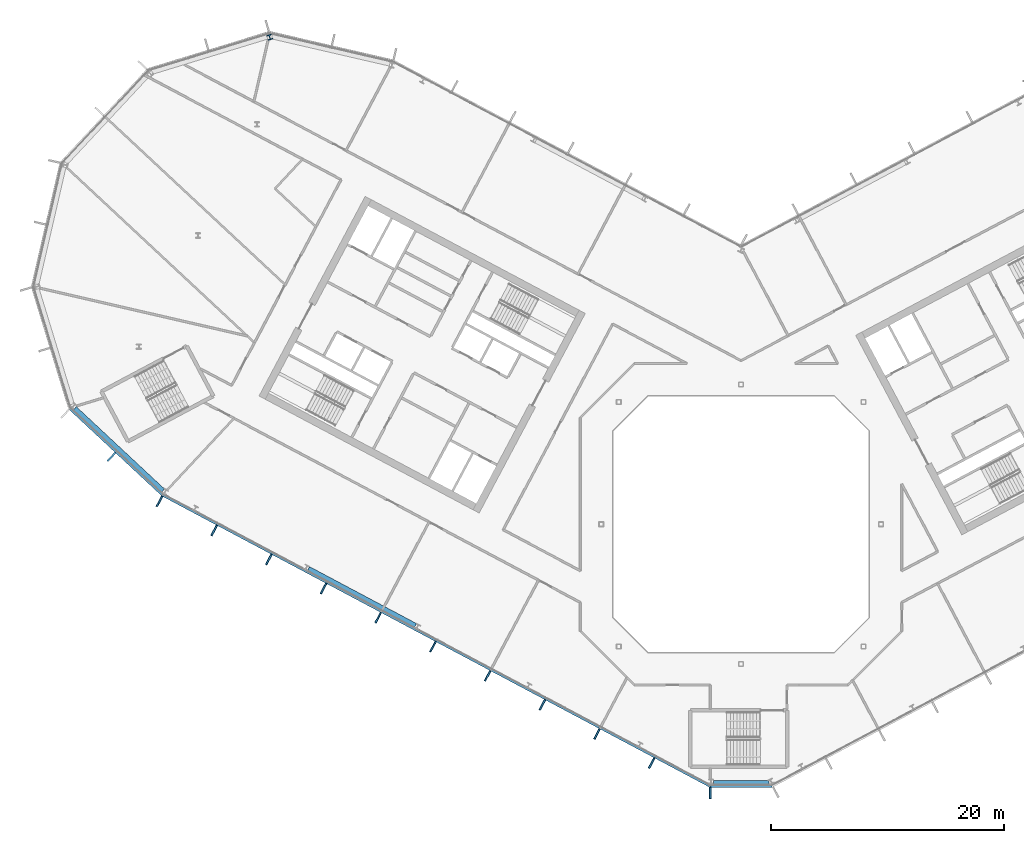
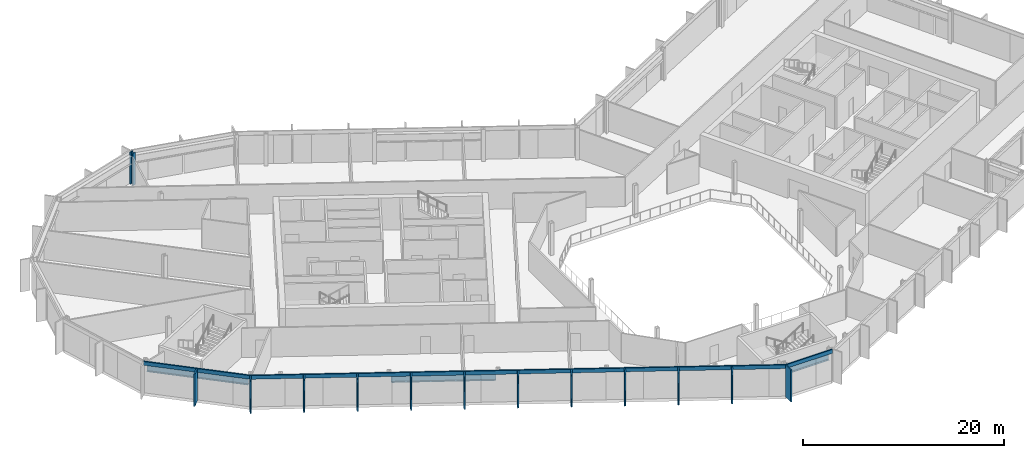
# One storey, part 8 of 27: 15 members, 3 beams, 1 column, 3 elements without a shape of their own.
"""IFC4 building model written with IfcOpenShell, lengths in metres."""

from ifc_helpers import new_model, si_unit, direction, frame, origin, origin_2d, place, context, subcontext, project, spatial, rectangle, i_section, extrude, material, layer, layer_set, material_profile, profile_set, type_object, element, aggregate, save


model = new_model("IFC4")

# Units and contexts
model_context = context("Model", 3, precision=1e-05, world=origin(), true_north=direction((0.0, 1.0)))
body_context = subcontext(model_context, "Body", "Model", "MODEL_VIEW")
ifc_project = project(units=[si_unit("LENGTHUNIT", "METRE"), si_unit("AREAUNIT", "SQUARE_METRE"), si_unit("VOLUMEUNIT", "CUBIC_METRE"), si_unit("PLANEANGLEUNIT", "RADIAN"), si_unit("MASSUNIT", "GRAM", prefix="KILO")], contexts=[model_context])

# Site, building, storey
site_placement = place(None, origin())
site = spatial("IfcSite", under=ifc_project, at=site_placement, CompositionType="ELEMENT")
building_placement = place(site_placement, origin())
building = spatial("IfcBuilding", under=site, at=building_placement, Name="Cormorant Relay Tower", CompositionType="ELEMENT")
storey_placement = place(building_placement, frame((0.0, 0.0, 209.10009765625)))
storey = spatial("IfcBuildingStorey", under=building, at=storey_placement, Name="L45", CompositionType="ELEMENT", Elevation=209.10009765625)

# Column
ifc_material_1 = material(Name="Steel ASTM A992 (Fy 345 MPa)", Category="steel")
ifc_material_profile_1 = material_profile(ifc_material_1, i_section(OverallWidth=0.41162109375, OverallDepth=0.434326171875, WebThickness=0.035888671875, FlangeThickness=0.057373046875, FilletRadius=0.01513671875, at=origin_2d()), Name="W360x463")
ifc_profile_set_1 = profile_set([ifc_material_profile_1], Name="Steel ASTM A992 (Fy 345 MPa)")
column_type = type_object("IfcColumnType", Name="Column W360x463", PredefinedType="COLUMN", material=ifc_profile_set_1)
column_placement = place(storey_placement, frame((-40.455078125, 41.803955078125, 0.0), z_axis=(0.0, 0.0, 1.0), x_axis=(-0.956304755963, -0.292371704723, 0.0)))
element("IfcColumn", 1, at=column_placement, inside=storey, type_object=column_type, Name="Column L45-045", PredefinedType="COLUMN", context=body_context, shape_type="SweptSolid", body=[
    extrude(i_section(OverallWidth=0.41162109375, OverallDepth=0.434326171875, WebThickness=0.035888671875, FlangeThickness=0.057373046875, FilletRadius=0.01513671875, at=origin_2d()), origin(), (0.0, 0.0, 1.0), 3.89990234375),
])

# Curtain wall, member
ifc_material_2 = material(Name="Aluminium 6063-T6 anodised bronze", Category="aluminium")
ifc_layer = layer(ifc_material_2, 0.199951171875)
ifc_layer_set = layer_set([ifc_layer], Name="CW1 unitised bronze curtain wall with vertical fins")
curtain_wall_type = type_object("IfcCurtainWallType", Name="CW1 unitised bronze curtain wall with vertical fins", PredefinedType="NOTDEFINED", material=ifc_layer_set)
curtain_wall_1_placement = place(storey_placement, origin())
curtain_wall_1 = element("IfcCurtainWall", 2, at=curtain_wall_1_placement, inside=storey, type_object=curtain_wall_type, Name="CW1 curtain wall 1", PredefinedType="NOTDEFINED")
ifc_material_3 = material(Name="Aluminium 6063-T6 anodised bronze", Category="aluminium")
ifc_material_profile_2 = material_profile(ifc_material_3, rectangle(XDim=0.14990234375, YDim=1.0, at=origin_2d()), Name="AL 150x1000")
ifc_profile_set_2 = profile_set([ifc_material_profile_2], Name="Aluminium 6063-T6 anodised bronze")
member_type_1 = type_object("IfcMemberType", Name="CW1 bronze fin mullion 150 x 1000", PredefinedType="MULLION", material=ifc_profile_set_2)
member_1_placement = place(storey_placement, frame((-2.648681640625, -23.07568359375, 0.0), z_axis=(0.0, 0.0, 1.0), x_axis=(1.0, 0.0, 0.0)))
member_1 = element("IfcMember", 3, at=member_1_placement, type_object=member_type_1, Name="CW1 fin 1.1", PredefinedType="MULLION", context=body_context, shape_type="SweptSolid", body=[
    extrude(rectangle(XDim=0.14990234375, YDim=1.0, at=origin_2d()), origin(), (0.0, 0.0, 1.0), 3.89990234375),
])

curtain_wall_2_placement = place(storey_placement, origin())
curtain_wall_2 = element("IfcCurtainWall", 4, at=curtain_wall_2_placement, inside=storey, type_object=curtain_wall_type, Name="CW1 curtain wall 15", PredefinedType="NOTDEFINED")
member_2_placement = place(storey_placement, frame((-54.0439453125, 5.779296875, 0.0), z_axis=(0.0, 0.0, 1.0), x_axis=(0.731353701619, -0.681998360062, 0.0)))
member_2 = element("IfcMember", 5, at=member_2_placement, type_object=member_type_1, Name="CW1 fin 15.2", PredefinedType="MULLION", context=body_context, shape_type="SweptSolid", body=[
    extrude(rectangle(XDim=0.14990234375, YDim=1.0, at=origin_2d()), origin(), (0.0, 0.0, 1.0), 3.89990234375),
])

# Curtain wall, members
curtain_wall_3_placement = place(storey_placement, origin())
curtain_wall_3 = element("IfcCurtainWall", 6, at=curtain_wall_3_placement, inside=storey, type_object=curtain_wall_type, Name="CW1 curtain wall 16", PredefinedType="NOTDEFINED")
member_3_placement = place(storey_placement, frame((-49.920166015625, 1.96630859375, 0.0), z_axis=(0.0, 0.0, 1.0), x_axis=(0.882947592859, -0.469471562786, 0.0)))
member_3 = element("IfcMember", 7, at=member_3_placement, type_object=member_type_1, Name="CW1 fin 16.1", PredefinedType="MULLION", context=body_context, shape_type="SweptSolid", body=[
    extrude(rectangle(XDim=0.14990234375, YDim=1.0, at=origin_2d()), origin(), (0.0, 0.0, 1.0), 3.89990234375),
])
member_4_placement = place(storey_placement, frame((-45.225830078125, -0.52978515625, 0.0), z_axis=(0.0, 0.0, 1.0), x_axis=(0.882947592859, -0.469471562786, 0.0)))
member_4 = element("IfcMember", 8, at=member_4_placement, type_object=member_type_1, Name="CW1 fin 16.2", PredefinedType="MULLION", context=body_context, shape_type="SweptSolid", body=[
    extrude(rectangle(XDim=0.14990234375, YDim=1.0, at=origin_2d()), origin(), (0.0, 0.0, 1.0), 3.89990234375),
])
member_5_placement = place(storey_placement, frame((-40.531494140625, -3.025634765625, 0.0), z_axis=(0.0, 0.0, 1.0), x_axis=(0.882947592859, -0.469471562786, 0.0)))
member_5 = element("IfcMember", 9, at=member_5_placement, type_object=member_type_1, Name="CW1 fin 16.3", PredefinedType="MULLION", context=body_context, shape_type="SweptSolid", body=[
    extrude(rectangle(XDim=0.14990234375, YDim=1.0, at=origin_2d()), origin(), (0.0, 0.0, 1.0), 3.89990234375),
])
member_6_placement = place(storey_placement, frame((-35.83740234375, -5.521728515625, 0.0), z_axis=(0.0, 0.0, 1.0), x_axis=(0.882947592859, -0.469471562786, 0.0)))
member_6 = element("IfcMember", 10, at=member_6_placement, type_object=member_type_1, Name="CW1 fin 16.4", PredefinedType="MULLION", context=body_context, shape_type="SweptSolid", body=[
    extrude(rectangle(XDim=0.14990234375, YDim=1.0, at=origin_2d()), origin(), (0.0, 0.0, 1.0), 3.89990234375),
])
member_7_placement = place(storey_placement, frame((-31.14306640625, -8.017578125, 0.0), z_axis=(0.0, 0.0, 1.0), x_axis=(0.882947592859, -0.469471562786, 0.0)))
member_7 = element("IfcMember", 11, at=member_7_placement, type_object=member_type_1, Name="CW1 fin 16.5", PredefinedType="MULLION", context=body_context, shape_type="SweptSolid", body=[
    extrude(rectangle(XDim=0.14990234375, YDim=1.0, at=origin_2d()), origin(), (0.0, 0.0, 1.0), 3.89990234375),
])
member_8_placement = place(storey_placement, frame((-26.44873046875, -10.513671875, 0.0), z_axis=(0.0, 0.0, 1.0), x_axis=(0.882947592859, -0.469471562786, 0.0)))
member_8 = element("IfcMember", 12, at=member_8_placement, type_object=member_type_1, Name="CW1 fin 16.6", PredefinedType="MULLION", context=body_context, shape_type="SweptSolid", body=[
    extrude(rectangle(XDim=0.14990234375, YDim=1.0, at=origin_2d()), origin(), (0.0, 0.0, 1.0), 3.89990234375),
])
member_9_placement = place(storey_placement, frame((-21.754638671875, -13.009765625, 0.0), z_axis=(0.0, 0.0, 1.0), x_axis=(0.882947592859, -0.469471562786, 0.0)))
member_9 = element("IfcMember", 13, at=member_9_placement, type_object=member_type_1, Name="CW1 fin 16.7", PredefinedType="MULLION", context=body_context, shape_type="SweptSolid", body=[
    extrude(rectangle(XDim=0.14990234375, YDim=1.0, at=origin_2d()), origin(), (0.0, 0.0, 1.0), 3.89990234375),
])
member_10_placement = place(storey_placement, frame((-17.060302734375, -15.505615234375, 0.0), z_axis=(0.0, 0.0, 1.0), x_axis=(0.882947592859, -0.469471562786, 0.0)))
member_10 = element("IfcMember", 14, at=member_10_placement, type_object=member_type_1, Name="CW1 fin 16.8", PredefinedType="MULLION", context=body_context, shape_type="SweptSolid", body=[
    extrude(rectangle(XDim=0.14990234375, YDim=1.0, at=origin_2d()), origin(), (0.0, 0.0, 1.0), 3.89990234375),
])
member_11_placement = place(storey_placement, frame((-12.365966796875, -18.001708984375, 0.0), z_axis=(0.0, 0.0, 1.0), x_axis=(0.882947592859, -0.469471562786, 0.0)))
member_11 = element("IfcMember", 15, at=member_11_placement, type_object=member_type_1, Name="CW1 fin 16.9", PredefinedType="MULLION", context=body_context, shape_type="SweptSolid", body=[
    extrude(rectangle(XDim=0.14990234375, YDim=1.0, at=origin_2d()), origin(), (0.0, 0.0, 1.0), 3.89990234375),
])
member_12_placement = place(storey_placement, frame((-7.671630859375, -20.49755859375, 0.0), z_axis=(0.0, 0.0, 1.0), x_axis=(0.882947592859, -0.469471562786, 0.0)))
member_12 = element("IfcMember", 16, at=member_12_placement, type_object=member_type_1, Name="CW1 fin 16.10", PredefinedType="MULLION", context=body_context, shape_type="SweptSolid", body=[
    extrude(rectangle(XDim=0.14990234375, YDim=1.0, at=origin_2d()), origin(), (0.0, 0.0, 1.0), 3.89990234375),
])

# Member
ifc_material_4 = material(Name="Aluminium 6063-T6 anodised bronze", Category="aluminium")
ifc_material_profile_3 = material_profile(ifc_material_4, rectangle(XDim=0.159912109375, YDim=0.449951171875, at=origin_2d()), Name="AL 160x450")
ifc_profile_set_3 = profile_set([ifc_material_profile_3], Name="Aluminium 6063-T6 anodised bronze")
member_type_2 = type_object("IfcMemberType", Name="CW1 bronze transom 160 x 450", PredefinedType="USERDEFINED", material=ifc_profile_set_3)
member_13_placement = place(storey_placement, frame((-2.648681640625, -22.49560546875, 3.6748046875), z_axis=(1.0, 0.0, 0.0), x_axis=(0.0, 1.0, 0.0)))
member_13 = element("IfcMember", 17, at=member_13_placement, type_object=member_type_2, Name="CW1 transom 1", ObjectType="TRANSOM", PredefinedType="USERDEFINED", context=body_context, shape_type="SweptSolid", body=[
    extrude(rectangle(XDim=0.159912109375, YDim=0.449951171875, at=origin_2d()), origin(), (0.0, 0.0, 1.0), 5.29736328125),
])

aggregate(curtain_wall_1, [member_1, member_13])

member_14_placement = place(storey_placement, frame((-57.62353515625, 9.91015625, 3.6748046875), z_axis=(0.731358420696, -0.681993299437, 0.0), x_axis=(0.681993299437, 0.731358420696, 0.0)))
member_14 = element("IfcMember", 18, at=member_14_placement, type_object=member_type_2, Name="CW1 transom 15", ObjectType="TRANSOM", PredefinedType="USERDEFINED", context=body_context, shape_type="SweptSolid", body=[
    extrude(rectangle(XDim=0.159912109375, YDim=0.449951171875, at=origin_2d()), origin(), (0.0, 0.0, 1.0), 10.870361328125),
])

aggregate(curtain_wall_2, [member_2, member_14])

member_15_placement = place(storey_placement, frame((-49.64794921875, 2.478515625, 3.6748046875), z_axis=(0.882947642542, -0.469471469346, 0.0), x_axis=(0.469471469346, 0.882947642542, 0.0)))
member_15 = element("IfcMember", 19, at=member_15_placement, type_object=member_type_2, Name="CW1 transom 16", ObjectType="TRANSOM", PredefinedType="USERDEFINED", context=body_context, shape_type="SweptSolid", body=[
    extrude(rectangle(XDim=0.159912109375, YDim=0.449951171875, at=origin_2d()), origin(), (0.0, 0.0, 1.0), 53.166015625),
])

aggregate(curtain_wall_3, [member_3, member_4, member_5, member_6, member_7, member_8, member_9, member_10, member_11, member_12, member_15])

# Beams
ifc_material_5 = material(Name="Steel ASTM A992 (Fy 345 MPa)", Category="steel")
ifc_material_profile_4 = material_profile(ifc_material_5, i_section(OverallWidth=0.4013671875, OverallDepth=0.990478515625, WebThickness=0.0166015625, FlangeThickness=0.031005859375, FilletRadius=0.030029296875, at=origin_2d()), Name="W1000x320")
ifc_profile_set_4 = profile_set([ifc_material_profile_4], Name="Steel ASTM A992 (Fy 345 MPa)")
beam_type = type_object("IfcBeamType", Name="Spandrel W1000x320", PredefinedType="SPANDREL", material=ifc_profile_set_4)
beam_1_placement = place(storey_placement, frame((-2.3701171875, -22.1748046875, 3.044677734375), z_axis=(1.0, 0.0, 0.0), x_axis=(0.0, 1.0, 0.0)))
element("IfcBeam", 20, at=beam_1_placement, inside=storey, type_object=beam_type, Name="Spandrel beam L45-001", PredefinedType="SPANDREL", context=body_context, shape_type="SweptSolid", body=[
    extrude(i_section(OverallWidth=0.4013671875, OverallDepth=0.990478515625, WebThickness=0.0166015625, FlangeThickness=0.031005859375, FilletRadius=0.030029296875, at=origin_2d()), origin(), (0.0, 0.0, 1.0), 4.761474609375),
])
beam_2_placement = place(storey_placement, frame((-57.19580078125, 9.94970703125, 3.044677734375), z_axis=(0.731351589689, -0.682000624824, 0.0), x_axis=(0.682000624824, 0.731351589689, 0.0)))
element("IfcBeam", 21, at=beam_2_placement, inside=storey, type_object=beam_type, Name="Spandrel beam L45-015", PredefinedType="SPANDREL", context=body_context, shape_type="SweptSolid", body=[
    extrude(i_section(OverallWidth=0.4013671875, OverallDepth=0.990478515625, WebThickness=0.0166015625, FlangeThickness=0.031005859375, FilletRadius=0.030029296875, at=origin_2d()), origin(), (0.0, 0.0, 1.0), 10.354248046875),
])
beam_3_placement = place(storey_placement, frame((-37.134033203125, -3.812255859375, 3.044677734375), z_axis=(0.882949648898, -0.469467695918, 0.0), x_axis=(0.469467695918, 0.882949648898, 0.0)))
element("IfcBeam", 22, at=beam_3_placement, inside=storey, type_object=beam_type, Name="Spandrel beam L45-016", PredefinedType="SPANDREL", context=body_context, shape_type="SweptSolid", body=[
    extrude(i_section(OverallWidth=0.4013671875, OverallDepth=0.990478515625, WebThickness=0.0166015625, FlangeThickness=0.031005859375, FilletRadius=0.030029296875, at=origin_2d()), origin(), (0.0, 0.0, 1.0), 10.39599609375),
])

save(model, "model.ifc")
